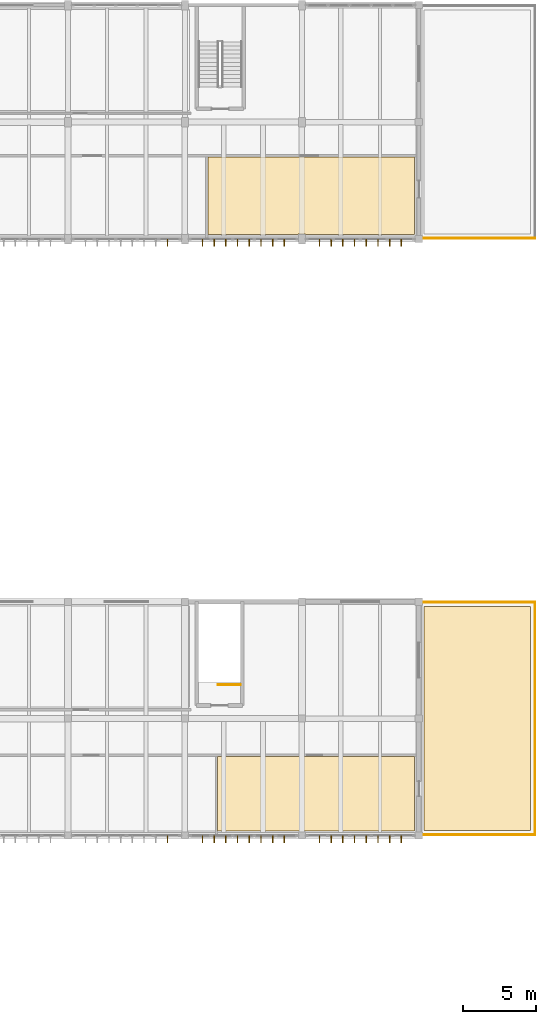
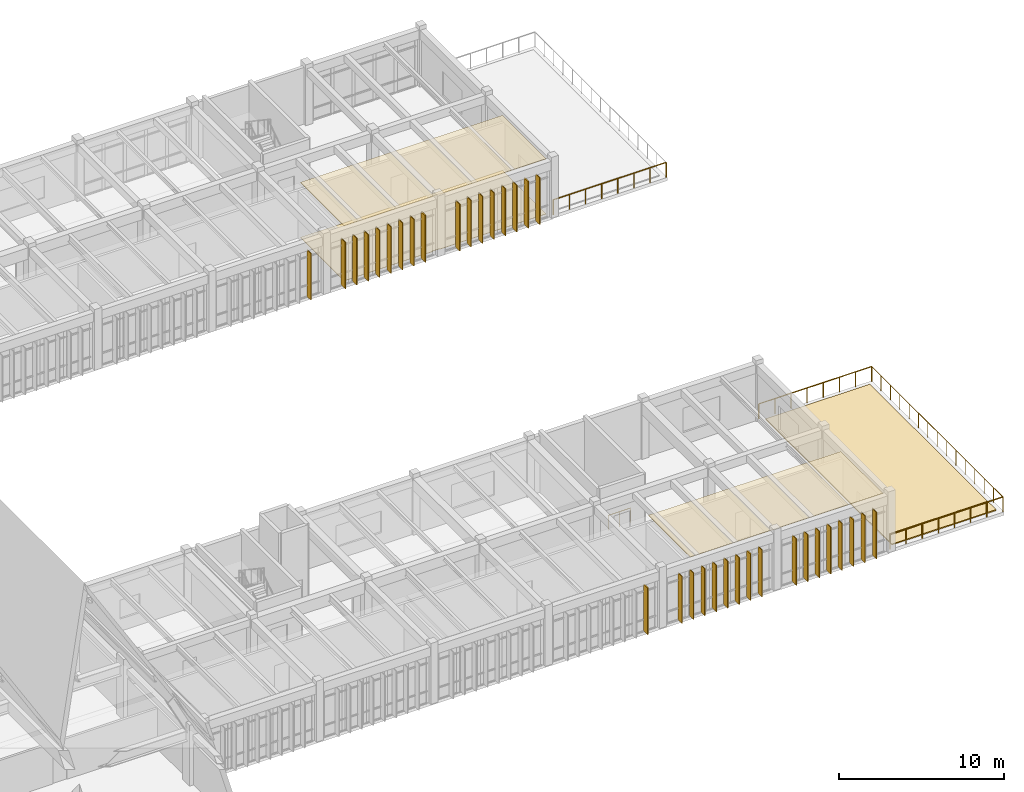
# One storey, part 71 of 72: 34 shading devices, 5 railings, 4 coverings.
"""IFC4 building model written with IfcOpenShell, lengths in metres."""

import ifcopenshell
import ifcopenshell.guid

model = None  # the IFC model being written
_history = None  # IfcOwnerHistory: only IFC2X3 demands one
_inside = {}  # id of a spatial element -> (the spatial element, [elements in it])
_under = {}  # id of a project, library or spatial element -> (it, [spatial elements below it])
_declared = {}  # id of a project -> (the project, [libraries it declares])
_typed = {}  # id of a type object -> (the type object, [elements of that type])
_made_of = {}  # id of a material, layer set ... -> (it, [elements and type objects made of it])


def new_model(schema):
    """Start an empty IFC model of exactly this schema.

    Asked for "IFC4X3", IfcOpenShell would pick the latest addendum, in which some entities
    have other attributes; the version numbers below select the first issue.
    IFC2X3 requires an IfcOwnerHistory on every rooted entity: one is made here for all.
    """
    global model, _history
    if schema == "IFC4X3":
        model = ifcopenshell.file(schema_version=(4, 3, 0, 0))
    else:
        model = ifcopenshell.file(schema=schema)
    _inside.clear()
    _under.clear()
    _declared.clear()
    _typed.clear()
    _made_of.clear()
    _history = None
    if model.schema == "IFC2X3":
        org = make("IfcOrganization", Name="unknown")
        user = make(
            "IfcPersonAndOrganization",
            ThePerson=make("IfcPerson", FamilyName="unknown"),
            TheOrganization=org,
        )
        app = make(
            "IfcApplication",
            ApplicationDeveloper=org,
            Version="unknown",
            ApplicationFullName="unknown",
            ApplicationIdentifier="unknown",
        )
        _history = make(
            "IfcOwnerHistory",
            OwningUser=user,
            OwningApplication=app,
            ChangeAction="ADDED",
            CreationDate=0,
        )
    return model


def make(cls, **values):
    """One entity of the class cls with the attributes given. An attribute that is None is left unset."""
    return model.create_entity(
        cls, **{name: value for name, value in values.items() if value is not None}
    )


def rooted(cls, **values):
    """An entity with a GlobalId (a new one), such as an element, a storey or a relation."""
    return make(cls, GlobalId=ifcopenshell.guid.new(), OwnerHistory=_history, **values)


def si_unit(unit_type, name, prefix=None):
    """IfcSIUnit, for example si_unit("LENGTHUNIT", "METRE", prefix="MILLI")."""
    return make("IfcSIUnit", UnitType=unit_type, Prefix=prefix, Name=name)


def assignment(units):
    """IfcUnitAssignment: the units of a project."""
    return None if units is None else make("IfcUnitAssignment", Units=units)


def point(xyz):
    """IfcCartesianPoint."""
    return None if xyz is None else make("IfcCartesianPoint", Coordinates=xyz)


def direction(xyz):
    """IfcDirection."""
    return None if xyz is None else make("IfcDirection", DirectionRatios=xyz)


def frame(location, z_axis=None, x_axis=None):
    """IfcAxis2Placement3D, a coordinate frame: its origin and axes. An axis left out is left unset."""
    return make(
        "IfcAxis2Placement3D",
        Location=point(location),
        Axis=direction(z_axis),
        RefDirection=direction(x_axis),
    )


def frame_2d(location, x_axis=None):
    """IfcAxis2Placement2D, a coordinate frame in the plane: its origin and x axis."""
    return make(
        "IfcAxis2Placement2D", Location=point(location), RefDirection=direction(x_axis)
    )


def origin():
    """The frame at (0, 0, 0) with its axes left unset."""
    return frame((0.0, 0.0, 0.0))


def origin_2d():
    """The frame at (0, 0) in the plane with its x axis left unset."""
    return frame_2d((0.0, 0.0))


def place(relative_to, where):
    """IfcLocalPlacement: puts the frame where relative to a parent placement (None: the world)."""
    return make(
        "IfcLocalPlacement", PlacementRelTo=relative_to, RelativePlacement=where
    )


def context(
    kind, dimensions, precision=None, world=None, true_north=None, identifier=None
):
    """IfcGeometricRepresentationContext, for example the 3D "Model" context."""
    return make(
        "IfcGeometricRepresentationContext",
        ContextIdentifier=identifier,
        ContextType=kind,
        CoordinateSpaceDimension=dimensions,
        Precision=precision,
        WorldCoordinateSystem=world,
        TrueNorth=true_north,
    )


def subcontext(parent, identifier, kind, view, scale=None):
    """IfcGeometricRepresentationSubContext, for example "Body" below "Model"."""
    return make(
        "IfcGeometricRepresentationSubContext",
        ContextIdentifier=identifier,
        ContextType=kind,
        ParentContext=parent,
        TargetScale=scale,
        TargetView=view,
    )


def project(units=None, contexts=None):
    """IfcProject with its units and contexts."""
    return rooted(
        "IfcProject",
        Name="project",
        RepresentationContexts=contexts,
        UnitsInContext=assignment(units),
    )


def spatial(cls, under=None, at=None, **own):
    """A site, building, storey or space (cls), placed at a placement, below another one or the project."""
    s = rooted(cls, ObjectPlacement=at, **own)
    if under is not None:
        _under.setdefault(under.id(), (under, []))[1].append(s)
    return s


def polyline(points):
    """IfcPolyline through the points."""
    return make("IfcPolyline", Points=[point(p) for p in points])


def profile(cls, at=None, kind="AREA", **sizes):
    """A parametric profile (cls). Its sizes go by their IFC names, for example OverallWidth=200.0."""
    return make(cls, ProfileType=kind, Position=at, **sizes)


def rectangle(**sizes):
    """IfcRectangleProfileDef."""
    return profile("IfcRectangleProfileDef", **sizes)


def circle(**sizes):
    """IfcCircleProfileDef."""
    return profile("IfcCircleProfileDef", **sizes)


def outline(outer, holes=None, kind="AREA"):
    """IfcArbitraryClosedProfileDef: a profile drawn as a closed curve; with holes, ...WithVoids."""
    if holes is None:
        return make("IfcArbitraryClosedProfileDef", ProfileType=kind, OuterCurve=outer)
    return make(
        "IfcArbitraryProfileDefWithVoids",
        ProfileType=kind,
        OuterCurve=outer,
        InnerCurves=holes,
    )


def extrude(swept, where, along, depth):
    """IfcExtrudedAreaSolid: the profile swept, set in the frame where, extruded along a direction by depth."""
    return make(
        "IfcExtrudedAreaSolid",
        SweptArea=swept,
        Position=where,
        ExtrudedDirection=direction(along),
        Depth=depth,
    )


def shape(context_of_items, identifier, shape_type, items):
    """IfcShapeRepresentation: the items that make up one representation, for example the "Body"."""
    return make(
        "IfcShapeRepresentation",
        ContextOfItems=context_of_items,
        RepresentationIdentifier=identifier,
        RepresentationType=shape_type,
        Items=items,
    )


def material(Name=None, Category=None):
    """IfcMaterial."""
    return make("IfcMaterial", Name=Name, Category=Category)


def layer(
    of_material, thickness, ventilated=None, Name=None, Category=None, Priority=None
):
    """IfcMaterialLayer: one layer of a wall or slab, of a material (None: an air gap)."""
    return make(
        "IfcMaterialLayer",
        Material=of_material,
        LayerThickness=thickness,
        IsVentilated=ventilated,
        Name=Name,
        Category=Category,
        Priority=Priority,
    )


def layer_set(layers, Name=None):
    """IfcMaterialLayerSet."""
    return make("IfcMaterialLayerSet", MaterialLayers=layers, LayerSetName=Name)


def made_of(thing, what):
    """Note that an element or type object is made of a material, layer set ...; save() writes the relation."""
    if what is not None:
        _made_of.setdefault(what.id(), (what, []))[1].append(thing)
    return thing


def type_object(cls, material=None, **own):
    """A type object (cls), such as IfcWallType, which elements share."""
    return made_of(rooted(cls, **own), material)


def element(
    cls,
    number,
    at=None,
    inside=None,
    cuts=None,
    type_object=None,
    material=None,
    context=None,
    identifier="Body",
    shape_type=None,
    held_by="IfcProductDefinitionShape",
    body=None,
    shapes=None,
    **own,
):
    """One element of the class cls, such as IfcWall. Its Tag is "e" and its number.

    at: its placement. inside: the storey or other place that contains it. cuts: it is an
    opening in that element (IfcRelVoidsElement). A single representation is given by context,
    identifier, shape_type and body (its items); several are given by shapes. held_by: the class
    of the entity that holds the representations. save() writes the other relations.
    """
    e = rooted(cls, Tag="e%d" % number, ObjectPlacement=at, **own)
    if body is not None:
        shapes = [shape(context, identifier, shape_type, body)]
    if shapes is not None:
        e.Representation = make(held_by, Representations=shapes)
    if inside is not None:
        _inside.setdefault(inside.id(), (inside, []))[1].append(e)
    if cuts is not None:
        rooted(
            "IfcRelVoidsElement", RelatingBuildingElement=cuts, RelatedOpeningElement=e
        )
    if type_object is not None:
        _typed.setdefault(type_object.id(), (type_object, []))[1].append(e)
    return made_of(e, material)


def aggregate(whole, parts):
    """IfcRelAggregates: a whole, such as a stair, and the parts it consists of."""
    return rooted("IfcRelAggregates", RelatingObject=whole, RelatedObjects=parts)


def save(model, path):
    """Write the relations noted so far, then the file.

    IfcRelAggregates (storeys below a building ...), IfcRelContainedInSpatialStructure (elements
    in a storey), IfcRelDefinesByType, IfcRelAssociatesMaterial and IfcRelDeclares: one each for
    every whole, place, type object, material and project.
    """
    for whole, parts in _under.values():
        aggregate(whole, parts)
    for where, things in _inside.values():
        rooted(
            "IfcRelContainedInSpatialStructure",
            RelatedElements=things,
            RelatingStructure=where,
        )
    for kind, things in _typed.values():
        rooted("IfcRelDefinesByType", RelatedObjects=things, RelatingType=kind)
    for what, things in _made_of.values():
        rooted("IfcRelAssociatesMaterial", RelatedObjects=things, RelatingMaterial=what)
    for by, libraries in _declared.values():
        rooted("IfcRelDeclares", RelatingContext=by, RelatedDefinitions=libraries)
    model.write(path)


model = new_model("IFC4")

# Units and contexts
model_context = context("Model", 3, precision=1e-05, world=origin(), true_north=direction((0.0, 1.0)))
body_context = subcontext(model_context, "Body", "Model", "MODEL_VIEW")
ifc_project = project(units=[si_unit("LENGTHUNIT", "METRE"), si_unit("AREAUNIT", "SQUARE_METRE"), si_unit("VOLUMEUNIT", "CUBIC_METRE"), si_unit("PLANEANGLEUNIT", "RADIAN"), si_unit("MASSUNIT", "GRAM", prefix="KILO")], contexts=[model_context])

# Site, building, storey
site_placement = place(None, origin())
site = spatial("IfcSite", under=ifc_project, at=site_placement, CompositionType="ELEMENT")
building_placement = place(site_placement, origin())
building = spatial("IfcBuilding", under=site, at=building_placement, Name="Tlaxcora Railside Police Headquarters", CompositionType="ELEMENT")
storey_placement = place(building_placement, frame((0.0, 0.0, 13.5)))
storey = spatial("IfcBuildingStorey", under=building, at=storey_placement, Name="L03", CompositionType="ELEMENT", Elevation=13.5)

# Coverings
ifc_material_1 = material(Name="Mineral-fibre acoustic ceiling tile")
ifc_layer_1 = layer(ifc_material_1, 0.034912109375, Name="Mineral-fibre acoustic ceiling tile")
ifc_layer_set_1 = layer_set([ifc_layer_1], Name="Mineral-fibre acoustic ceiling tile")
covering_type_1 = type_object("IfcCoveringType", Name="Acoustic Suspended Ceiling CLG-01", PredefinedType="CEILING", material=ifc_layer_set_1)
covering_1_placement = place(storey_placement, frame((0.0, 0.0, 4.06494140625)))
element("IfcCovering", 1, at=covering_1_placement, inside=storey, type_object=covering_type_1, Name="Examination and Cadet Briefing Room suspended ceiling", PredefinedType="CEILING", context=body_context, shape_type="SweptSolid", body=[
    extrude(outline(polyline([(137.0380859375, 36.300048828125), (150.5, 36.300048828125), (150.5, 41.39990234375), (137.0380859375, 41.39990234375), (137.0380859375, 36.300048828125)])), origin(), (0.0, 0.0, 1.0), 0.03515625),
])
ifc_material_2 = material(Name="Heavy-duty resin and raised-access technical flooring")
ifc_layer_2 = layer(ifc_material_2, 0.02490234375, Name="Heavy-duty resin and raised-access technical flooring")
ifc_layer_set_2 = layer_set([ifc_layer_2], Name="Heavy-duty resin and raised-access technical flooring")
covering_type_2 = type_object("IfcCoveringType", Name="Epoxy Chemical-Resistant Lab Flooring FLR-02", PredefinedType="FLOORING", material=ifc_layer_set_2)
covering_2_placement = place(storey_placement, origin())
element("IfcCovering", 2, at=covering_2_placement, inside=storey, type_object=covering_type_2, Name="Questioned Documents and Trace Fiber Laboratory technical floor finish", PredefinedType="FLOORING", context=body_context, shape_type="SweptSolid", body=[
    extrude(outline(polyline([(136.360107421875, 82.39990234375), (136.360107421875, 77.10009765625), (142.5400390625, 77.10009765625), (142.5400390625, 77.135009765625), (143.06005859375, 77.135009765625), (143.06005859375, 77.10009765625), (150.5, 77.10009765625), (150.5, 82.39990234375), (136.360107421875, 82.39990234375)])), origin(), (0.0, 0.0, 1.0), 0.02490234375),
])
ifc_layer_3 = layer(ifc_material_1, 0.044921875, Name="Mineral-fibre acoustic ceiling tile")
ifc_layer_set_3 = layer_set([ifc_layer_3], Name="Mineral-fibre acoustic ceiling tile")
covering_type_3 = type_object("IfcCoveringType", Name="Laboratory Hygienic Ceiling CLG-02", PredefinedType="CEILING", material=ifc_layer_set_3)
covering_3_placement = place(storey_placement, frame((0.0, 0.0, 4.054931640625)))
element("IfcCovering", 3, at=covering_3_placement, inside=storey, type_object=covering_type_3, Name="Questioned Documents and Trace Fiber Laboratory suspended ceiling", PredefinedType="CEILING", context=body_context, shape_type="SweptSolid", body=[
    extrude(outline(polyline([(136.360107421875, 82.39990234375), (136.360107421875, 77.10009765625), (142.5400390625, 77.10009765625), (142.5400390625, 77.135009765625), (143.06005859375, 77.135009765625), (143.06005859375, 77.10009765625), (150.5, 77.10009765625), (150.5, 82.39990234375), (136.360107421875, 82.39990234375)])), origin(), (0.0, 0.0, 1.0), 0.045166015625),
])
ifc_material_3 = material(Name="Modified EPDM waterproofing and volcanic-ash protection membrane")
ifc_layer_4 = layer(ifc_material_3, 0.080078125, Name="Modified EPDM waterproofing and volcanic-ash protection membrane")
ifc_layer_set_4 = layer_set([ifc_layer_4], Name="Modified EPDM waterproofing and volcanic-ash protection membrane")
covering_type_4 = type_object("IfcCoveringType", Name="Planted Roof Garden Waterproofing RF-01", PredefinedType="ROOFING", material=ifc_layer_set_4)
covering_4_placement = place(storey_placement, origin())
element("IfcCovering", 4, at=covering_4_placement, inside=storey, type_object=covering_type_4, Name="TERR-V7-L03-E planted waterproofing layer", PredefinedType="ROOFING", context=body_context, shape_type="SweptSolid", body=[
    extrude(outline(polyline([(158.449951171875, 36.35009765625), (158.449951171875, 51.64990234375), (151.14990234375, 51.64990234375), (151.14990234375, 36.35009765625), (158.449951171875, 36.35009765625)])), origin(), (0.0, 0.0, 1.0), 0.080078125),
])

# Shading devices
ifc_material_4 = material(Name="Anodised aluminium framing", Category="aluminium")
ifc_layer_5 = layer(ifc_material_4, 0.054931640625, Name="Anodised aluminium framing")
ifc_layer_set_5 = layer_set([ifc_layer_5], Name="Anodised aluminium framing")
shading_device_type_1 = type_object("IfcShadingDeviceType", Name="Solar Control Fin SF-01", PredefinedType="JALOUSIE", material=ifc_layer_set_5)
for number, where, z_axis, x_axis, name in (
    (5, (133.60009765625, 35.739990234375, 0.0400390625), (0.0, 0.0, 1.0), (0.0, -1.0, 0.0), "Vertical solar fin 1055"),
    (6, (136.0, 35.739990234375, 0.0400390625), (0.0, 0.0, 1.0), (0.0, -1.0, 0.0), "Vertical solar fin 1056"),
    (7, (136.800048828125, 35.739990234375, 0.0400390625), (0.0, 0.0, 1.0), (0.0, -1.0, 0.0), "Vertical solar fin 1057"),
    (8, (137.60009765625, 35.739990234375, 0.0400390625), (0.0, 0.0, 1.0), (0.0, -1.0, 0.0), "Vertical solar fin 1058"),
    (9, (138.39990234375, 35.739990234375, 0.0400390625), (0.0, 0.0, 1.0), (0.0, -1.0, 0.0), "Vertical solar fin 1059"),
    (10, (139.199951171875, 35.739990234375, 0.0400390625), (0.0, 0.0, 1.0), (0.0, -1.0, 0.0), "Vertical solar fin 1060"),
    (11, (140.0, 35.739990234375, 0.0400390625), (0.0, 0.0, 1.0), (0.0, -1.0, 0.0), "Vertical solar fin 1061"),
    (12, (140.800048828125, 35.739990234375, 0.0400390625), (0.0, 0.0, 1.0), (0.0, -1.0, 0.0), "Vertical solar fin 1062"),
    (13, (141.60009765625, 35.739990234375, 0.0400390625), (0.0, 0.0, 1.0), (0.0, -1.0, 0.0), "Vertical solar fin 1063"),
    (14, (144.0, 35.739990234375, 0.0400390625), (0.0, 0.0, 1.0), (0.0, -1.0, 0.0), "Vertical solar fin 1064"),
    (15, (144.800048828125, 35.739990234375, 0.0400390625), (0.0, 0.0, 1.0), (0.0, -1.0, 0.0), "Vertical solar fin 1065"),
    (16, (145.60009765625, 35.739990234375, 0.0400390625), (0.0, 0.0, 1.0), (0.0, -1.0, 0.0), "Vertical solar fin 1066"),
    (17, (146.39990234375, 35.739990234375, 0.0400390625), (0.0, 0.0, 1.0), (0.0, -1.0, 0.0), "Vertical solar fin 1067"),
    (18, (147.199951171875, 35.739990234375, 0.0400390625), (0.0, 0.0, 1.0), (0.0, -1.0, 0.0), "Vertical solar fin 1068"),
    (19, (148.0, 35.739990234375, 0.0400390625), (0.0, 0.0, 1.0), (0.0, -1.0, 0.0), "Vertical solar fin 1069"),
    (20, (148.800048828125, 35.739990234375, 0.0400390625), (0.0, 0.0, 1.0), (0.0, -1.0, 0.0), "Vertical solar fin 1070"),
    (21, (149.60009765625, 35.739990234375, 0.0400390625), (0.0, 0.0, 1.0), (0.0, -1.0, 0.0), "Vertical solar fin 1071"),
):
    element("IfcShadingDevice", number, at=place(storey_placement, frame(where, z_axis=z_axis, x_axis=x_axis)), inside=storey, type_object=shading_device_type_1, Name=name, PredefinedType="JALOUSIE", context=body_context, shape_type="SweptSolid", body=[
        extrude(rectangle(XDim=0.47998046875, YDim=0.054931640625, at=origin_2d()), origin(), (0.0, 0.0, 1.0), 3.4599609375),
    ])
ifc_material_5 = material(Name="Bronze-anodised perforated aluminium sheet", Category="aluminium")
ifc_layer_6 = layer(ifc_material_5, 0.06494140625, Name="Bronze-anodised perforated aluminium sheet")
ifc_layer_set_6 = layer_set([ifc_layer_6], Name="Bronze-anodised perforated aluminium sheet")
shading_device_type_2 = type_object("IfcShadingDeviceType", Name="Solar Control Fin SF-02", PredefinedType="JALOUSIE", material=ifc_layer_set_6)
for number, where, z_axis, x_axis, name in (
    (22, (133.60009765625, 76.5400390625, 0.0400390625), (0.0, 0.0, 1.0), (0.0, -1.0, 0.0), "Vertical solar fin 911"),
    (23, (136.0, 76.5400390625, 0.0400390625), (0.0, 0.0, 1.0), (0.0, -1.0, 0.0), "Vertical solar fin 912"),
    (24, (136.800048828125, 76.5400390625, 0.0400390625), (0.0, 0.0, 1.0), (0.0, -1.0, 0.0), "Vertical solar fin 913"),
    (25, (137.60009765625, 76.5400390625, 0.0400390625), (0.0, 0.0, 1.0), (0.0, -1.0, 0.0), "Vertical solar fin 914"),
    (26, (138.39990234375, 76.5400390625, 0.0400390625), (0.0, 0.0, 1.0), (0.0, -1.0, 0.0), "Vertical solar fin 915"),
    (27, (139.199951171875, 76.5400390625, 0.0400390625), (0.0, 0.0, 1.0), (0.0, -1.0, 0.0), "Vertical solar fin 916"),
    (28, (140.0, 76.5400390625, 0.0400390625), (0.0, 0.0, 1.0), (0.0, -1.0, 0.0), "Vertical solar fin 917"),
    (29, (140.800048828125, 76.5400390625, 0.0400390625), (0.0, 0.0, 1.0), (0.0, -1.0, 0.0), "Vertical solar fin 918"),
    (30, (141.60009765625, 76.5400390625, 0.0400390625), (0.0, 0.0, 1.0), (0.0, -1.0, 0.0), "Vertical solar fin 919"),
    (31, (144.0, 76.5400390625, 0.0400390625), (0.0, 0.0, 1.0), (0.0, -1.0, 0.0), "Vertical solar fin 920"),
    (32, (144.800048828125, 76.5400390625, 0.0400390625), (0.0, 0.0, 1.0), (0.0, -1.0, 0.0), "Vertical solar fin 921"),
    (33, (145.60009765625, 76.5400390625, 0.0400390625), (0.0, 0.0, 1.0), (0.0, -1.0, 0.0), "Vertical solar fin 922"),
    (34, (146.39990234375, 76.5400390625, 0.0400390625), (0.0, 0.0, 1.0), (0.0, -1.0, 0.0), "Vertical solar fin 923"),
    (35, (147.199951171875, 76.5400390625, 0.0400390625), (0.0, 0.0, 1.0), (0.0, -1.0, 0.0), "Vertical solar fin 924"),
    (36, (148.0, 76.5400390625, 0.0400390625), (0.0, 0.0, 1.0), (0.0, -1.0, 0.0), "Vertical solar fin 925"),
    (37, (148.800048828125, 76.5400390625, 0.0400390625), (0.0, 0.0, 1.0), (0.0, -1.0, 0.0), "Vertical solar fin 926"),
    (38, (149.60009765625, 76.5400390625, 0.0400390625), (0.0, 0.0, 1.0), (0.0, -1.0, 0.0), "Vertical solar fin 927"),
):
    element("IfcShadingDevice", number, at=place(storey_placement, frame(where, z_axis=z_axis, x_axis=x_axis)), inside=storey, type_object=shading_device_type_2, Name=name, PredefinedType="JALOUSIE", context=body_context, shape_type="SweptSolid", body=[
        extrude(rectangle(XDim=0.47998046875, YDim=0.054931640625, at=origin_2d()), origin(), (0.0, 0.0, 1.0), 3.4599609375),
    ])

# Railings
ifc_material_6 = material(Name="Steel ASTM A992 Grade 50", Category="steel")
railing_type_1 = type_object("IfcRailingType", Name="Stair Well Guard Balustrade GR-02", PredefinedType="BALUSTRADE", material=ifc_material_6)
railing_1_placement = place(storey_placement, frame((138.610107421875, 46.31005859375, 0.0)))
element("IfcRailing", 39, at=railing_1_placement, inside=storey, type_object=railing_type_1, Name="L03 ST11 top well guard 1", PredefinedType="BALUSTRADE", context=body_context, shape_type="SweptSolid", body=[
    extrude(circle(Radius=0.02392578125, at=origin_2d()), frame((0.0, 0.0, 1.09619140625), z_axis=(-1.0, 0.0, 0.0), x_axis=(0.0, -1.0, 0.0)), (0.0, 0.0, 1.0), 1.550048828125),
    extrude(circle(Radius=0.02099609375, at=origin_2d()), origin(), (0.0, 0.0, 1.0), 1.072021484375),
    extrude(circle(Radius=0.02099609375, at=origin_2d()), frame((-0.77490234375, 0.0, 0.0)), (0.0, 0.0, 1.0), 1.072021484375),
    extrude(circle(Radius=0.02099609375, at=origin_2d()), frame((-1.550048828125, 0.0, 0.0)), (0.0, 0.0, 1.0), 1.072021484375),
])
railing_type_2 = type_object("IfcRailingType", Name="Terrace Perimeter Guard Balustrade GR-01", PredefinedType="BALUSTRADE", material=ifc_material_6)
for number, where, name in (
    (40, (150.85009765625, 76.85009765625, 0.0), "TERR-V6-L03-E perimeter guard 1"),
    (41, (150.85009765625, 36.050048828125, 0.0), "TERR-V7-L03-E perimeter guard 1"),
):
    element("IfcRailing", number, at=place(storey_placement, frame(where)), inside=storey, type_object=railing_type_2, Name=name, PredefinedType="BALUSTRADE", context=body_context, shape_type="SweptSolid", body=[
        extrude(circle(Radius=0.02392578125, at=origin_2d()), frame((0.0, 0.0, 1.09619140625), z_axis=(1.0, 0.0, 0.0), x_axis=(0.0, 1.0, 0.0)), (0.0, 0.0, 1.0), 7.89990234375),
        extrude(circle(Radius=0.02099609375, at=origin_2d()), origin(), (0.0, 0.0, 1.0), 1.072021484375),
        extrude(circle(Radius=0.02099609375, at=origin_2d()), frame((1.128662109375, 0.0, 0.0)), (0.0, 0.0, 1.0), 1.072021484375),
        extrude(circle(Radius=0.02099609375, at=origin_2d()), frame((2.257080078125, 0.0, 0.0)), (0.0, 0.0, 1.0), 1.072021484375),
        extrude(circle(Radius=0.02099609375, at=origin_2d()), frame((3.3857421875, 0.0, 0.0)), (0.0, 0.0, 1.0), 1.072021484375),
        extrude(circle(Radius=0.02099609375, at=origin_2d()), frame((4.51416015625, 0.0, 0.0)), (0.0, 0.0, 1.0), 1.072021484375),
        extrude(circle(Radius=0.02099609375, at=origin_2d()), frame((5.642822265625, 0.0, 0.0)), (0.0, 0.0, 1.0), 1.072021484375),
        extrude(circle(Radius=0.02099609375, at=origin_2d()), frame((6.771240234375, 0.0, 0.0)), (0.0, 0.0, 1.0), 1.072021484375),
        extrude(circle(Radius=0.02099609375, at=origin_2d()), frame((7.89990234375, 0.0, 0.0)), (0.0, 0.0, 1.0), 1.072021484375),
    ])
railing_2_placement = place(storey_placement, frame((158.75, 36.050048828125, 0.0)))
element("IfcRailing", 42, at=railing_2_placement, inside=storey, type_object=railing_type_2, Name="TERR-V7-L03-E perimeter guard 2", PredefinedType="BALUSTRADE", context=body_context, shape_type="SweptSolid", body=[
    extrude(circle(Radius=0.02392578125, at=origin_2d()), frame((0.0, 0.0, 1.09619140625), z_axis=(0.0, 1.0, 0.0), x_axis=(-1.0, 0.0, 0.0)), (0.0, 0.0, 1.0), 15.89990234375),
    extrude(circle(Radius=0.02099609375, at=origin_2d()), origin(), (0.0, 0.0, 1.0), 1.072021484375),
    extrude(circle(Radius=0.02099609375, at=origin_2d()), frame((0.0, 1.1357421875, 0.0)), (0.0, 0.0, 1.0), 1.072021484375),
    extrude(circle(Radius=0.02099609375, at=origin_2d()), frame((0.0, 2.271484375, 0.0)), (0.0, 0.0, 1.0), 1.072021484375),
    extrude(circle(Radius=0.02099609375, at=origin_2d()), frame((0.0, 3.4072265625, 0.0)), (0.0, 0.0, 1.0), 1.072021484375),
    extrude(circle(Radius=0.02099609375, at=origin_2d()), frame((0.0, 4.542724609375, 0.0)), (0.0, 0.0, 1.0), 1.072021484375),
    extrude(circle(Radius=0.02099609375, at=origin_2d()), frame((0.0, 5.678466796875, 0.0)), (0.0, 0.0, 1.0), 1.072021484375),
    extrude(circle(Radius=0.02099609375, at=origin_2d()), frame((0.0, 6.814208984375, 0.0)), (0.0, 0.0, 1.0), 1.072021484375),
    extrude(circle(Radius=0.02099609375, at=origin_2d()), frame((0.0, 7.949951171875, 0.0)), (0.0, 0.0, 1.0), 1.072021484375),
    extrude(circle(Radius=0.02099609375, at=origin_2d()), frame((0.0, 9.085693359375, 0.0)), (0.0, 0.0, 1.0), 1.072021484375),
    extrude(circle(Radius=0.02099609375, at=origin_2d()), frame((0.0, 10.221435546875, 0.0)), (0.0, 0.0, 1.0), 1.072021484375),
    extrude(circle(Radius=0.02099609375, at=origin_2d()), frame((0.0, 11.357177734375, 0.0)), (0.0, 0.0, 1.0), 1.072021484375),
    extrude(circle(Radius=0.02099609375, at=origin_2d()), frame((0.0, 12.49267578125, 0.0)), (0.0, 0.0, 1.0), 1.072021484375),
    extrude(circle(Radius=0.02099609375, at=origin_2d()), frame((0.0, 13.62841796875, 0.0)), (0.0, 0.0, 1.0), 1.072021484375),
    extrude(circle(Radius=0.02099609375, at=origin_2d()), frame((0.0, 14.76416015625, 0.0)), (0.0, 0.0, 1.0), 1.072021484375),
    extrude(circle(Radius=0.02099609375, at=origin_2d()), frame((0.0, 15.89990234375, 0.0)), (0.0, 0.0, 1.0), 1.072021484375),
])
railing_3_placement = place(storey_placement, frame((158.75, 51.949951171875, 0.0)))
element("IfcRailing", 43, at=railing_3_placement, inside=storey, type_object=railing_type_2, Name="TERR-V7-L03-E perimeter guard 3", PredefinedType="BALUSTRADE", context=body_context, shape_type="SweptSolid", body=[
    extrude(circle(Radius=0.02392578125, at=origin_2d()), frame((0.0, 0.0, 1.09619140625), z_axis=(-1.0, 0.0, 0.0), x_axis=(0.0, -1.0, 0.0)), (0.0, 0.0, 1.0), 7.89990234375),
    extrude(circle(Radius=0.02099609375, at=origin_2d()), origin(), (0.0, 0.0, 1.0), 1.072021484375),
    extrude(circle(Radius=0.02099609375, at=origin_2d()), frame((-1.128662109375, 0.0, 0.0)), (0.0, 0.0, 1.0), 1.072021484375),
    extrude(circle(Radius=0.02099609375, at=origin_2d()), frame((-2.257080078125, 0.0, 0.0)), (0.0, 0.0, 1.0), 1.072021484375),
    extrude(circle(Radius=0.02099609375, at=origin_2d()), frame((-3.3857421875, 0.0, 0.0)), (0.0, 0.0, 1.0), 1.072021484375),
    extrude(circle(Radius=0.02099609375, at=origin_2d()), frame((-4.51416015625, 0.0, 0.0)), (0.0, 0.0, 1.0), 1.072021484375),
    extrude(circle(Radius=0.02099609375, at=origin_2d()), frame((-5.642822265625, 0.0, 0.0)), (0.0, 0.0, 1.0), 1.072021484375),
    extrude(circle(Radius=0.02099609375, at=origin_2d()), frame((-6.771240234375, 0.0, 0.0)), (0.0, 0.0, 1.0), 1.072021484375),
    extrude(circle(Radius=0.02099609375, at=origin_2d()), frame((-7.89990234375, 0.0, 0.0)), (0.0, 0.0, 1.0), 1.072021484375),
])

save(model, "model.ifc")
